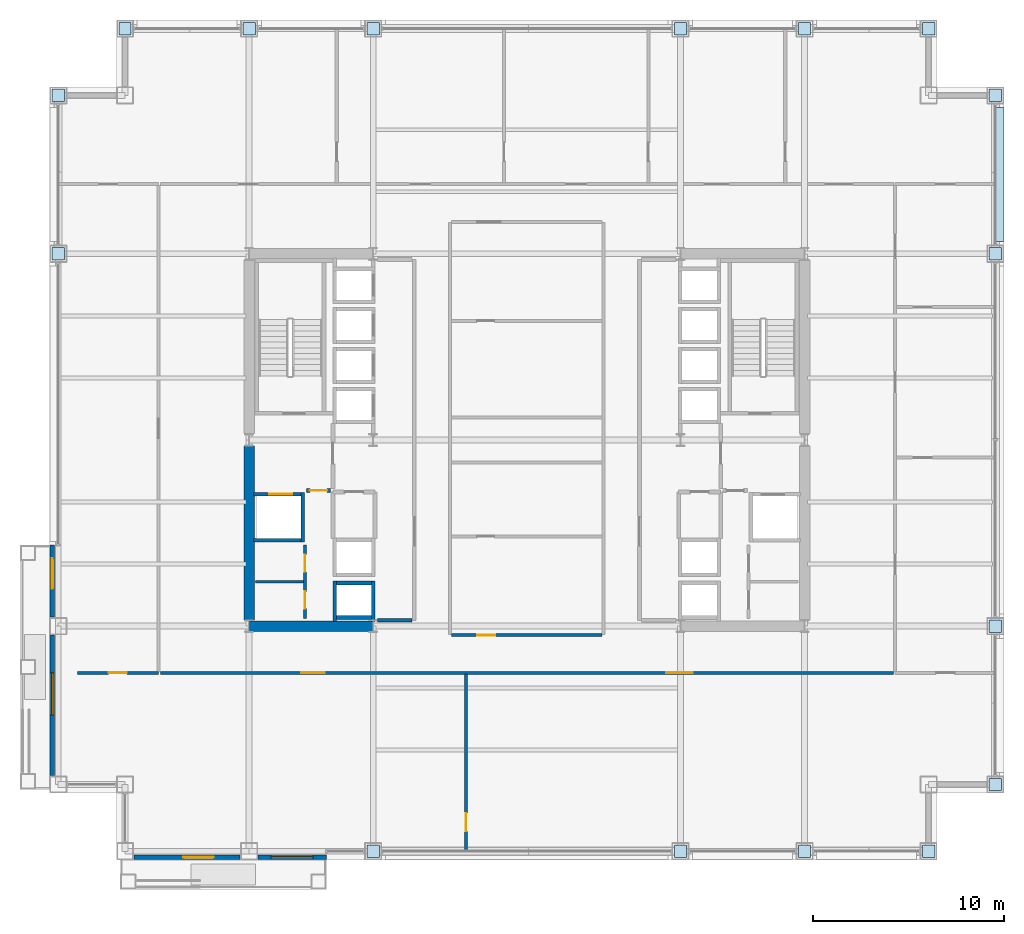
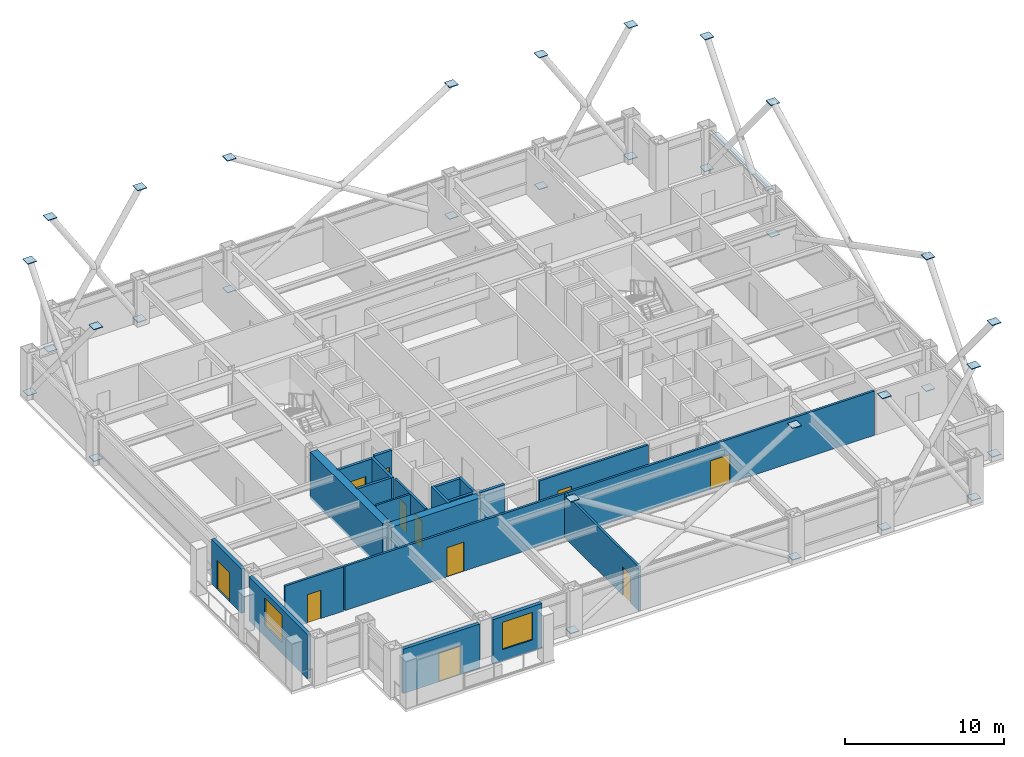
# One storey, part 24 of 29: 33 plates, 21 walls, 11 doors, 2 windows, 13 openings.
"""IFC4 building model written with IfcOpenShell, lengths in metres."""

from ifc_helpers import new_model, si_unit, direction, frame, frame_2d, origin, origin_2d, place, context, subcontext, project, spatial, rectangle, extrude, material, layer, layer_set, type_object, element, fill, save


model = new_model("IFC4")

# Units and contexts
model_context = context("Model", 3, precision=1e-05, world=origin(), true_north=direction((0.0, 1.0)))
body_context = subcontext(model_context, "Body", "Model", "MODEL_VIEW")
ifc_project = project(units=[si_unit("LENGTHUNIT", "METRE"), si_unit("AREAUNIT", "SQUARE_METRE"), si_unit("VOLUMEUNIT", "CUBIC_METRE"), si_unit("PLANEANGLEUNIT", "RADIAN"), si_unit("MASSUNIT", "GRAM", prefix="KILO")], contexts=[model_context])

# Site, building, storey
site_placement = place(None, origin())
site = spatial("IfcSite", under=ifc_project, at=site_placement, CompositionType="ELEMENT")
building_placement = place(site_placement, origin())
building = spatial("IfcBuilding", under=site, at=building_placement, Name="Brelmoor Portico Tower", CompositionType="ELEMENT")
storey_placement = place(building_placement, frame((0.0, 0.0, 67.199951171875)))
storey = spatial("IfcBuildingStorey", under=building, at=storey_placement, Name="L17", CompositionType="ELEMENT", Elevation=67.199951171875)

# Plates
ifc_material_1 = material(Name="Steel Q355B", Category="steel")
ifc_layer_1 = layer(ifc_material_1, 0.044921875)
ifc_layer_set_1 = layer_set([ifc_layer_1], Name="Steel Q355B")
plate_type_1 = type_object("IfcPlateType", Name="PT-CAP-650", PredefinedType="SHEET", material=ifc_layer_set_1)
for number, where, z_axis, x_axis, name in (
    (1, (-8.050048828125, -21.550048828125, 0.2275390625), (0.0, 0.0, 1.0), (1.0, 0.0, 0.0), "L17 Continuous Mega-X Brace 034A Joint Cap Plate 1"),
    (2, (8.050048828125, -21.550048828125, 10.32763671875), (0.0, 0.0, 1.0), (1.0, 0.0, 0.0), "L17 Continuous Mega-X Brace 034A Joint Cap Plate 2"),
    (3, (8.050048828125, -21.550048828125, 0.2275390625), (0.0, 0.0, 1.0), (1.0, 0.0, 0.0), "L17 Split Mega-X Brace 034B1 Joint Cap Plate 1"),
    (4, (-8.050048828125, -21.550048828125, 10.32763671875), (0.0, 0.0, 1.0), (1.0, 0.0, 0.0), "L17 Split Mega-X Brace 034B2 Joint Cap Plate 2"),
    (5, (14.550048828125, -21.550048828125, 0.2275390625), (0.0, 0.0, 1.0), (1.0, 0.0, 0.0), "L17 Continuous Mega-X Brace 035A Joint Cap Plate 1"),
    (6, (21.050048828125, -21.550048828125, 10.32763671875), (0.0, 0.0, 1.0), (1.0, 0.0, 0.0), "L17 Continuous Mega-X Brace 035A Joint Cap Plate 2"),
    (7, (21.050048828125, -21.550048828125, 0.2275390625), (0.0, 0.0, 1.0), (1.0, 0.0, 0.0), "L17 Split Mega-X Brace 035B1 Joint Cap Plate 1"),
    (8, (14.550048828125, -21.550048828125, 10.32763671875), (0.0, 0.0, 1.0), (1.0, 0.0, 0.0), "L17 Split Mega-X Brace 035B2 Joint Cap Plate 2"),
    (9, (-21.050048828125, 21.550048828125, 0.2275390625), (0.0, 0.0, 1.0), (1.0, 0.0, 0.0), "L17 Continuous Mega-X Brace 036A Joint Cap Plate 1"),
    (10, (-14.550048828125, 21.550048828125, 10.32763671875), (0.0, 0.0, 1.0), (1.0, 0.0, 0.0), "L17 Continuous Mega-X Brace 036A Joint Cap Plate 2"),
    (11, (-14.550048828125, 21.550048828125, 0.2275390625), (0.0, 0.0, 1.0), (1.0, 0.0, 0.0), "L17 Split Mega-X Brace 036B1 Joint Cap Plate 1"),
    (12, (-21.050048828125, 21.550048828125, 10.32763671875), (0.0, 0.0, 1.0), (1.0, 0.0, 0.0), "L17 Split Mega-X Brace 036B2 Joint Cap Plate 2"),
    (13, (-8.050048828125, 21.550048828125, 0.2275390625), (0.0, 0.0, 1.0), (1.0, 0.0, 0.0), "L17 Continuous Mega-X Brace 037A Joint Cap Plate 1"),
    (14, (8.050048828125, 21.550048828125, 10.32763671875), (0.0, 0.0, 1.0), (1.0, 0.0, 0.0), "L17 Continuous Mega-X Brace 037A Joint Cap Plate 2"),
    (15, (8.050048828125, 21.550048828125, 0.2275390625), (0.0, 0.0, 1.0), (1.0, 0.0, 0.0), "L17 Split Mega-X Brace 037B1 Joint Cap Plate 1"),
    (16, (-8.050048828125, 21.550048828125, 10.32763671875), (0.0, 0.0, 1.0), (1.0, 0.0, 0.0), "L17 Split Mega-X Brace 037B2 Joint Cap Plate 2"),
    (17, (14.550048828125, 21.550048828125, 0.2275390625), (0.0, 0.0, 1.0), (1.0, 0.0, 0.0), "L17 Continuous Mega-X Brace 038A Joint Cap Plate 1"),
    (18, (21.050048828125, 21.550048828125, 10.32763671875), (0.0, 0.0, 1.0), (1.0, 0.0, 0.0), "L17 Continuous Mega-X Brace 038A Joint Cap Plate 2"),
    (19, (21.050048828125, 21.550048828125, 0.2275390625), (0.0, 0.0, 1.0), (1.0, 0.0, 0.0), "L17 Split Mega-X Brace 038B1 Joint Cap Plate 1"),
    (20, (14.550048828125, 21.550048828125, 10.32763671875), (0.0, 0.0, 1.0), (1.0, 0.0, 0.0), "L17 Split Mega-X Brace 038B2 Joint Cap Plate 2"),
    (21, (-24.550048828125, 9.75, 0.2275390625), (0.0, 0.0, 1.0), (1.0, 0.0, 0.0), "L17 Continuous Mega-X Brace 039A Joint Cap Plate 1"),
    (22, (-24.550048828125, 18.050048828125, 10.32763671875), (0.0, 0.0, 1.0), (1.0, 0.0, 0.0), "L17 Continuous Mega-X Brace 039A Joint Cap Plate 2"),
    (23, (-24.550048828125, 18.050048828125, 0.2275390625), (0.0, 0.0, 1.0), (1.0, 0.0, 0.0), "L17 Split Mega-X Brace 039B1 Joint Cap Plate 1"),
    (24, (-24.550048828125, 9.75, 10.32763671875), (0.0, 0.0, 1.0), (1.0, 0.0, 0.0), "L17 Split Mega-X Brace 039B2 Joint Cap Plate 2"),
    (25, (24.550048828125, -18.050048828125, 0.2275390625), (0.0, 0.0, 1.0), (1.0, 0.0, 0.0), "L17 Continuous Mega-X Brace 040A Joint Cap Plate 1"),
    (26, (24.550048828125, -9.75, 10.32763671875), (0.0, 0.0, 1.0), (1.0, 0.0, 0.0), "L17 Continuous Mega-X Brace 040A Joint Cap Plate 2"),
    (27, (24.550048828125, -9.75, 0.2275390625), (0.0, 0.0, 1.0), (1.0, 0.0, 0.0), "L17 Split Mega-X Brace 040B1 Joint Cap Plate 1"),
    (28, (24.550048828125, -18.050048828125, 10.32763671875), (0.0, 0.0, 1.0), (1.0, 0.0, 0.0), "L17 Split Mega-X Brace 040B2 Joint Cap Plate 2"),
    (29, (24.550048828125, 9.75, 10.32763671875), (0.0, 0.0, 1.0), (1.0, 0.0, 0.0), "L17 Continuous Mega-X Brace 041A Joint Cap Plate 2"),
    (30, (24.550048828125, 9.75, 0.2275390625), (0.0, 0.0, 1.0), (1.0, 0.0, 0.0), "L17 Split Mega-X Brace 041B1 Joint Cap Plate 1"),
    (31, (24.550048828125, 18.050048828125, 10.32763671875), (0.0, 0.0, 1.0), (1.0, 0.0, 0.0), "L17 Continuous Mega-X Brace 042A Joint Cap Plate 2"),
    (32, (24.550048828125, 18.050048828125, 0.2275390625), (0.0, 0.0, 1.0), (1.0, 0.0, 0.0), "L17 Split Mega-X Brace 042B1 Joint Cap Plate 1"),
):
    element("IfcPlate", number, at=place(storey_placement, frame(where, z_axis=z_axis, x_axis=x_axis)), inside=storey, type_object=plate_type_1, Name=name, PredefinedType="SHEET", context=body_context, shape_type="SweptSolid", body=[
        extrude(rectangle(XDim=0.64990234375, YDim=0.64990234375, at=origin_2d()), origin(), (0.0, 0.0, 1.0), 0.044921875),
    ])
ifc_material_2 = material(Name="Pale Champagne Perforated Aluminium Solar Screen", Category="aluminium")
ifc_layer_2 = layer(ifc_material_2, 0.054931640625)
ifc_layer_set_2 = layer_set([ifc_layer_2], Name="Pale Champagne Perforated Aluminium Solar Screen")
plate_type_2 = type_object("IfcPlateType", Name="PT-SOLAR-LOUVRE", PredefinedType="SHEET", material=ifc_layer_set_2)
plate_placement = place(storey_placement, frame((24.760009765625, 13.89990234375, 3.09033203125), z_axis=(0.0, 0.0, 1.0), x_axis=(0.0, 1.0, 0.0)))
element("IfcPlate", 33, at=plate_placement, inside=storey, type_object=plate_type_2, Name="CW-L17-04-3 Caribbean Brise-Soleil Solar Screen", PredefinedType="SHEET", context=body_context, shape_type="SweptSolid", body=[
    extrude(rectangle(XDim=7.02001953125, YDim=0.4599609375, at=origin_2d()), origin(), (0.0, 0.0, 1.0), 0.139892578125),
])

# Walls
ifc_material_3 = material(Name="Concrete C60", Category="concrete")
ifc_layer_3 = layer(ifc_material_3, 0.550048828125)
ifc_layer_set_3 = layer_set([ifc_layer_3], Name="Concrete C60")
wall_type_1 = type_object("IfcWallType", Name="WL-CORE-550", PredefinedType="SHEAR", material=ifc_layer_set_3)
wall_1_placement = place(storey_placement, frame((-14.530029296875, -9.75, -0.199951171875), z_axis=(0.0, 0.0, 1.0), x_axis=(1.0, 0.0, 0.0)))
element("IfcWall", 34, at=wall_1_placement, inside=storey, type_object=wall_type_1, Name="L17 WC South Shear Wall", PredefinedType="SHEAR", context=body_context, shape_type="SweptSolid", body=[
    extrude(rectangle(XDim=6.4599609375, YDim=0.550048828125, at=frame_2d((3.22998046875, 0.0))), origin(), (0.0, 0.0, 1.0), 3.60009765625),
])
wall_2_placement = place(storey_placement, frame((-14.550048828125, -9.425048828125, -0.199951171875), z_axis=(0.0, 0.0, 1.0), x_axis=(0.0, 1.0, 0.0)))
element("IfcWall", 35, at=wall_2_placement, inside=storey, type_object=wall_type_1, Name="L17 WC Outer South Shear Wall", PredefinedType="SHEAR", context=body_context, shape_type="SweptSolid", body=[
    extrude(rectangle(XDim=9.10009765625, YDim=0.550048828125, at=frame_2d((4.550048828125, 0.0))), origin(), (0.0, 0.0, 1.0), 3.60009765625),
])

# Wall, opening, door
ifc_material_4 = material(Name="Precast Concrete C40 Insulated Facade Wall", Category="concrete")
ifc_layer_4 = layer(ifc_material_4, 0.25)
ifc_layer_set_4 = layer_set([ifc_layer_4], Name="Precast Concrete C40 Insulated Facade Wall")
wall_type_2 = type_object("IfcWallType", Name="WL-EXT-250", PredefinedType="STANDARD", material=ifc_layer_set_4)
wall_3_placement = place(storey_placement, frame((-20.580078125, -21.860107421875, 0.0), z_axis=(0.0, 0.0, 1.0), x_axis=(1.0, 0.0, 0.0)))
wall_3 = element("IfcWall", 36, at=wall_3_placement, inside=storey, type_object=wall_type_2, Name="L17 Loggia Threshold Wall S-1", PredefinedType="STANDARD", context=body_context, shape_type="SweptSolid", body=[
    extrude(rectangle(XDim=5.56005859375, YDim=0.25, at=frame_2d((2.780029296875, 0.0))), origin(), (0.0, 0.0, 1.0), 3.400146484375),
])
opening_1_placement = place(wall_3_placement, frame((2.580078125, 0.0, 0.0)))
opening_1 = element("IfcOpeningElement", 37, at=opening_1_placement, cuts=wall_3, Name="Opening D-TB1", PredefinedType="OPENING", context=body_context, shape_type="SweptSolid", body=[
    extrude(rectangle(XDim=1.60009765625, YDim=2.199951171875, at=frame_2d((0.800048828125, 1.10009765625))), frame((0.0, 0.135009765625, 0.0), z_axis=(0.0, -1.0, 0.0), x_axis=(1.0, 0.0, 0.0)), (0.0, 0.0, 1.0), 0.27001953125),
])
ifc_material_5 = material(Name="Double-Leaf Thermally Broken Terrace Door", Category="aluminium")
door_type_1 = type_object("IfcDoorType", Name="DR-BALCONY-1600", OperationType="NOTDEFINED", PredefinedType="DOOR", material=ifc_material_5)
door_1_placement = place(opening_1_placement, origin())
door_1 = element("IfcDoor", 38, at=door_1_placement, inside=storey, type_object=door_type_1, Name="D-0787 L17 Tree Balcony Double Door S", OperationType="DOUBLE_DOOR_SINGLE_SWING", OverallHeight=2.199951171875, OverallWidth=1.60009765625, PredefinedType="DOOR", context=body_context, shape_type="SweptSolid", body=[
    extrude(rectangle(XDim=1.60009765625, YDim=2.199951171875, at=frame_2d((0.800048828125, 1.10009765625))), frame((0.0, 0.02490234375, 0.0), z_axis=(0.0, -1.0, 0.0), x_axis=(1.0, 0.0, 0.0)), (0.0, 0.0, 1.0), 0.050048828125),
])
fill(opening_1, door_1)

# Wall, opening, window
wall_4_placement = place(storey_placement, frame((-14.080078125, -21.860107421875, 0.0), z_axis=(0.0, 0.0, 1.0), x_axis=(1.0, 0.0, 0.0)))
wall_4 = element("IfcWall", 39, at=wall_4_placement, inside=storey, type_object=wall_type_2, Name="L17 Loggia Threshold Wall S-2", PredefinedType="STANDARD", context=body_context, shape_type="SweptSolid", body=[
    extrude(rectangle(XDim=3.580078125, YDim=0.25, at=frame_2d((1.7900390625, 0.0))), origin(), (0.0, 0.0, 1.0), 3.400146484375),
])
opening_2_placement = place(wall_4_placement, frame((0.679931640625, 0.0, 0.85009765625)))
opening_2 = element("IfcOpeningElement", 40, at=opening_2_placement, cuts=wall_4, Name="Opening W-03B", PredefinedType="OPENING", context=body_context, shape_type="SweptSolid", body=[
    extrude(rectangle(XDim=2.199951171875, YDim=2.10009765625, at=frame_2d((1.10009765625, 1.050048828125))), frame((0.0, 0.135009765625, 0.0), z_axis=(0.0, -1.0, 0.0), x_axis=(1.0, 0.0, 0.0)), (0.0, 0.0, 1.0), 0.27001953125),
])
ifc_material_6 = material(Name="Thermally Broken Aluminium Low-E Window", Category="aluminium")
window_type = type_object("IfcWindowType", Name="WN-LOGGIA-2200x2100", PartitioningType="SINGLE_PANEL", PredefinedType="WINDOW", material=ifc_material_6)
window_1_placement = place(opening_2_placement, origin())
window_1 = element("IfcWindow", 41, at=window_1_placement, inside=storey, type_object=window_type, Name="L17 Loggia Window S", OverallHeight=2.10009765625, OverallWidth=2.199951171875, PartitioningType="SINGLE_PANEL", PredefinedType="WINDOW", context=body_context, shape_type="SweptSolid", body=[
    extrude(rectangle(XDim=2.199951171875, YDim=2.10009765625, at=frame_2d((1.10009765625, 1.050048828125))), frame((0.0, 0.030029296875, 0.0), z_axis=(0.0, -1.0, 0.0), x_axis=(1.0, 0.0, 0.0)), (0.0, 0.0, 1.0), 0.06005859375),
])
fill(opening_2, window_1)

wall_5_placement = place(storey_placement, frame((-24.860107421875, -17.580078125, 0.0), z_axis=(0.0, 0.0, 1.0), x_axis=(0.0, 1.0, 0.0)))
wall_5 = element("IfcWall", 42, at=wall_5_placement, inside=storey, type_object=wall_type_2, Name="L17 Loggia Threshold Wall W-1", PredefinedType="STANDARD", context=body_context, shape_type="SweptSolid", body=[
    extrude(rectangle(XDim=7.360107421875, YDim=0.25, at=frame_2d((3.68017578125, 0.0))), origin(), (0.0, 0.0, 1.0), 3.400146484375),
])
opening_3_placement = place(wall_5_placement, frame((3.179931640625, 0.0, 0.85009765625)))
opening_3 = element("IfcOpeningElement", 43, at=opening_3_placement, cuts=wall_5, Name="Opening W-03B", PredefinedType="OPENING", context=body_context, shape_type="SweptSolid", body=[
    extrude(rectangle(XDim=2.199951171875, YDim=2.10009765625, at=frame_2d((1.10009765625, 1.050048828125))), frame((0.0, 0.135009765625, 0.0), z_axis=(0.0, -1.0, 0.0), x_axis=(1.0, 0.0, 0.0)), (0.0, 0.0, 1.0), 0.27001953125),
])
window_2_placement = place(opening_3_placement, origin())
window_2 = element("IfcWindow", 44, at=window_2_placement, inside=storey, type_object=window_type, Name="L17 Loggia Window W", OverallHeight=2.10009765625, OverallWidth=2.199951171875, PartitioningType="SINGLE_PANEL", PredefinedType="WINDOW", context=body_context, shape_type="SweptSolid", body=[
    extrude(rectangle(XDim=2.199951171875, YDim=2.10009765625, at=frame_2d((1.10009765625, 1.050048828125))), frame((0.0, 0.030029296875, 0.0), z_axis=(0.0, -1.0, 0.0), x_axis=(1.0, 0.0, 0.0)), (0.0, 0.0, 1.0), 0.06005859375),
])
fill(opening_3, window_2)

# Wall, opening, door
wall_6_placement = place(storey_placement, frame((-24.860107421875, -9.280029296875, 0.0), z_axis=(0.0, 0.0, 1.0), x_axis=(0.0, 1.0, 0.0)))
wall_6 = element("IfcWall", 45, at=wall_6_placement, inside=storey, type_object=wall_type_2, Name="L17 Loggia Threshold Wall W-2", PredefinedType="STANDARD", context=body_context, shape_type="SweptSolid", body=[
    extrude(rectangle(XDim=3.780029296875, YDim=0.25, at=frame_2d((1.89013671875, 0.0))), origin(), (0.0, 0.0, 1.0), 3.400146484375),
])
opening_4_placement = place(wall_6_placement, frame((1.47998046875, 0.0, 0.0)))
opening_4 = element("IfcOpeningElement", 46, at=opening_4_placement, cuts=wall_6, Name="Opening D-TB1", PredefinedType="OPENING", context=body_context, shape_type="SweptSolid", body=[
    extrude(rectangle(XDim=1.60009765625, YDim=2.199951171875, at=frame_2d((0.800048828125, 1.10009765625))), frame((0.0, 0.135009765625, 0.0), z_axis=(0.0, -1.0, 0.0), x_axis=(1.0, 0.0, 0.0)), (0.0, 0.0, 1.0), 0.27001953125),
])
door_2_placement = place(opening_4_placement, origin())
door_2 = element("IfcDoor", 47, at=door_2_placement, inside=storey, type_object=door_type_1, Name="D-0788 L17 Tree Balcony Double Door W", OperationType="DOUBLE_DOOR_SINGLE_SWING", OverallHeight=2.199951171875, OverallWidth=1.60009765625, PredefinedType="DOOR", context=body_context, shape_type="SweptSolid", body=[
    extrude(rectangle(XDim=1.60009765625, YDim=2.199951171875, at=frame_2d((0.800048828125, 1.10009765625))), frame((0.0, 0.02490234375, 0.0), z_axis=(0.0, -1.0, 0.0), x_axis=(1.0, 0.0, 0.0)), (0.0, 0.0, 1.0), 0.050048828125),
])
fill(opening_4, door_2)

# Wall
ifc_material_7 = material(Name="Insulated Stud Suite Partition", Category="gypsum")
ifc_layer_5 = layer(ifc_material_7, 0.139892578125)
ifc_layer_set_5 = layer_set([ifc_layer_5], Name="Insulated Stud Suite Partition")
wall_type_3 = type_object("IfcWallType", Name="WL-PART-140", PredefinedType="PARTITIONING", material=ifc_layer_set_5)
wall_7_placement = place(storey_placement, frame((-11.699951171875, -7.425048828125, 0.0), z_axis=(0.0, 0.0, 1.0), x_axis=(-1.0, 0.0, 0.0)))
element("IfcWall", 48, at=wall_7_placement, inside=storey, type_object=wall_type_3, Name="L17 W Core WC Divider 1", PredefinedType="PARTITIONING", context=body_context, shape_type="SweptSolid", body=[
    extrude(rectangle(XDim=2.5, YDim=0.139892578125, at=frame_2d((1.25, 0.0))), origin(), (0.0, 0.0, 1.0), 3.400146484375),
])

# Wall, openings, doors
ifc_material_8 = material(Name="Twin-Frame Acoustic Partition", Category="gypsum")
ifc_layer_6 = layer(ifc_material_8, 0.159912109375)
ifc_layer_set_6 = layer_set([ifc_layer_6], Name="Twin-Frame Acoustic Partition")
wall_type_4 = type_object("IfcWallType", Name="WL-PART-160", PredefinedType="PARTITIONING", material=ifc_layer_set_6)
wall_8_placement = place(storey_placement, frame((-11.6201171875, -9.35009765625, 0.0), z_axis=(0.0, 0.0, 1.0), x_axis=(0.0, 1.0, 0.0)))
wall_8 = element("IfcWall", 49, at=wall_8_placement, inside=storey, type_object=wall_type_4, Name="L17 W Core Service Front Wall", PredefinedType="PARTITIONING", context=body_context, shape_type="SweptSolid", body=[
    extrude(rectangle(XDim=3.85009765625, YDim=0.159912109375, at=frame_2d((1.925048828125, 0.0))), origin(), (0.0, 0.0, 1.0), 3.400146484375),
])
opening_5_placement = place(wall_8_placement, frame((0.512451171875, 0.0, 0.0)))
opening_5 = element("IfcOpeningElement", 50, at=opening_5_placement, cuts=wall_8, Name="Opening D-IN1", PredefinedType="OPENING", context=body_context, shape_type="SweptSolid", body=[
    extrude(rectangle(XDim=0.89990234375, YDim=2.14990234375, at=frame_2d((0.449951171875, 1.074951171875))), frame((0.0, 0.08984375, 0.0), z_axis=(0.0, -1.0, 0.0), x_axis=(1.0, 0.0, 0.0)), (0.0, 0.0, 1.0), 0.179931640625),
])
opening_6_placement = place(wall_8_placement, frame((2.4375, 0.0, 0.0)))
opening_6 = element("IfcOpeningElement", 51, at=opening_6_placement, cuts=wall_8, Name="Opening D-IN1", PredefinedType="OPENING", context=body_context, shape_type="SweptSolid", body=[
    extrude(rectangle(XDim=0.89990234375, YDim=2.14990234375, at=frame_2d((0.449951171875, 1.074951171875))), frame((0.0, 0.08984375, 0.0), z_axis=(0.0, -1.0, 0.0), x_axis=(1.0, 0.0, 0.0)), (0.0, 0.0, 1.0), 0.179931640625),
])
ifc_material_9 = material(Name="Lacquered Timber Suite Door", Category="wood")
door_type_2 = type_object("IfcDoorType", Name="DR-INT-900", OperationType="NOTDEFINED", PredefinedType="DOOR", material=ifc_material_9)
door_3_placement = place(opening_5_placement, origin())
door_3 = element("IfcDoor", 52, at=door_3_placement, inside=storey, type_object=door_type_2, Name="D-0761 L17 W Accessible WC Door", OperationType="SINGLE_SWING_LEFT", OverallHeight=2.14990234375, OverallWidth=0.89990234375, PredefinedType="DOOR", context=body_context, shape_type="SweptSolid", body=[
    extrude(rectangle(XDim=0.89990234375, YDim=2.14990234375, at=frame_2d((0.449951171875, 1.074951171875))), frame((0.0, 0.02490234375, 0.0), z_axis=(0.0, -1.0, 0.0), x_axis=(1.0, 0.0, 0.0)), (0.0, 0.0, 1.0), 0.050048828125),
])
fill(opening_5, door_3)
door_4_placement = place(opening_6_placement, origin())
door_4 = element("IfcDoor", 53, at=door_4_placement, inside=storey, type_object=door_type_2, Name="D-0762 L17 W Staff WC Door", OperationType="SINGLE_SWING_RIGHT", OverallHeight=2.14990234375, OverallWidth=0.89990234375, PredefinedType="DOOR", context=body_context, shape_type="SweptSolid", body=[
    extrude(rectangle(XDim=0.89990234375, YDim=2.14990234375, at=frame_2d((0.449951171875, 1.074951171875))), frame((0.0, 0.02490234375, 0.0), z_axis=(0.0, -1.0, 0.0), x_axis=(1.0, 0.0, 0.0)), (0.0, 0.0, 1.0), 0.050048828125),
])
fill(opening_6, door_4)

# Wall, opening, door
wall_9_placement = place(storey_placement, frame((-3.949951171875, -10.219970703125, 0.0), z_axis=(0.0, 0.0, 1.0), x_axis=(1.0, 0.0, 0.0)))
wall_9 = element("IfcWall", 54, at=wall_9_placement, inside=storey, type_object=wall_type_4, Name="L17 Central Pantry Corridor Wall", PredefinedType="PARTITIONING", context=body_context, shape_type="SweptSolid", body=[
    extrude(rectangle(XDim=7.89990234375, YDim=0.159912109375, at=frame_2d((3.949951171875, 0.0))), origin(), (0.0, 0.0, 1.0), 3.400146484375),
])
opening_7_placement = place(wall_9_placement, frame((1.35009765625, 0.0, 0.0)))
opening_7 = element("IfcOpeningElement", 55, at=opening_7_placement, cuts=wall_9, Name="Opening D-IN2", PredefinedType="OPENING", context=body_context, shape_type="SweptSolid", body=[
    extrude(rectangle(XDim=0.9599609375, YDim=2.179931640625, at=frame_2d((0.47998046875, 1.08984375))), frame((0.0, 0.08984375, 0.0), z_axis=(0.0, -1.0, 0.0), x_axis=(1.0, 0.0, 0.0)), (0.0, 0.0, 1.0), 0.179931640625),
])
door_type_3 = type_object("IfcDoorType", Name="DR-INT-950", OperationType="NOTDEFINED", PredefinedType="DOOR", material=ifc_material_9)
door_5_placement = place(opening_7_placement, origin())
door_5 = element("IfcDoor", 56, at=door_5_placement, inside=storey, type_object=door_type_3, Name="D-0755 L17 Staff Pantry Door", OperationType="SINGLE_SWING_LEFT", OverallHeight=2.179931640625, OverallWidth=0.9599609375, PredefinedType="DOOR", context=body_context, shape_type="SweptSolid", body=[
    extrude(rectangle(XDim=0.9599609375, YDim=2.179931640625, at=frame_2d((0.47998046875, 1.08984375))), frame((0.0, 0.02490234375, 0.0), z_axis=(0.0, -1.0, 0.0), x_axis=(1.0, 0.0, 0.0)), (0.0, 0.0, 1.0), 0.050048828125),
])
fill(opening_7, door_5)

wall_10_placement = place(storey_placement, frame((-3.185546875, -21.56005859375, 0.0), z_axis=(0.0, 0.0, 1.0), x_axis=(0.0, 1.0, 0.0)))
wall_10 = element("IfcWall", 57, at=wall_10_placement, inside=storey, type_object=wall_type_4, Name="L17 South Suite Partition 1", PredefinedType="PARTITIONING", context=body_context, shape_type="SweptSolid", body=[
    extrude(rectangle(XDim=9.300048828125, YDim=0.159912109375, at=frame_2d((4.64990234375, 0.0))), origin(), (0.0, 0.0, 1.0), 3.400146484375),
])
opening_8_placement = place(wall_10_placement, frame((1.050048828125, 0.0, 0.0)))
opening_8 = element("IfcOpeningElement", 58, at=opening_8_placement, cuts=wall_10, Name="Opening D-IN2", PredefinedType="OPENING", context=body_context, shape_type="SweptSolid", body=[
    extrude(rectangle(XDim=0.9599609375, YDim=2.179931640625, at=frame_2d((0.47998046875, 1.08984375))), frame((0.0, 0.08984375, 0.0), z_axis=(0.0, -1.0, 0.0), x_axis=(1.0, 0.0, 0.0)), (0.0, 0.0, 1.0), 0.179931640625),
])
door_6_placement = place(opening_8_placement, origin())
door_6 = element("IfcDoor", 59, at=door_6_placement, inside=storey, type_object=door_type_3, Name="D-0782 L17 South Suite Connecting Door 1", OperationType="SINGLE_SWING_RIGHT", OverallHeight=2.179931640625, OverallWidth=0.9599609375, PredefinedType="DOOR", context=body_context, shape_type="SweptSolid", body=[
    extrude(rectangle(XDim=0.9599609375, YDim=2.179931640625, at=frame_2d((0.47998046875, 1.08984375))), frame((0.0, 0.02490234375, 0.0), z_axis=(0.0, -1.0, 0.0), x_axis=(1.0, 0.0, 0.0)), (0.0, 0.0, 1.0), 0.050048828125),
])
fill(opening_8, door_6)

# Wall, openings, doors
wall_11_placement = place(storey_placement, frame((-19.199951171875, -12.199951171875, 0.0), z_axis=(0.0, 0.0, 1.0), x_axis=(1.0, 0.0, 0.0)))
wall_11 = element("IfcWall", 60, at=wall_11_placement, inside=storey, type_object=wall_type_4, Name="L17 South Corridor Partition", PredefinedType="PARTITIONING", context=body_context, shape_type="SweptSolid", body=[
    extrude(rectangle(XDim=38.39990234375, YDim=0.159912109375, at=frame_2d((19.199951171875, 0.0))), origin(), (0.0, 0.0, 1.0), 3.400146484375),
])
opening_9_placement = place(wall_11_placement, frame((7.38720703125, 0.0, 0.0)))
opening_9 = element("IfcOpeningElement", 61, at=opening_9_placement, cuts=wall_11, Name="Opening D-SU1", PredefinedType="OPENING", context=body_context, shape_type="SweptSolid", body=[
    extrude(rectangle(XDim=1.239990234375, YDim=2.239990234375, at=frame_2d((0.6201171875, 1.1201171875))), frame((0.0, 0.08984375, 0.0), z_axis=(0.0, -1.0, 0.0), x_axis=(1.0, 0.0, 0.0)), (0.0, 0.0, 1.0), 0.179931640625),
])
opening_10_placement = place(wall_11_placement, frame((26.507080078125, 0.0, 0.0)))
opening_10 = element("IfcOpeningElement", 62, at=opening_10_placement, cuts=wall_11, Name="Opening D-SU2", PredefinedType="OPENING", context=body_context, shape_type="SweptSolid", body=[
    extrude(rectangle(XDim=1.39990234375, YDim=2.199951171875, at=frame_2d((0.699951171875, 1.10009765625))), frame((0.0, 0.08984375, 0.0), z_axis=(0.0, -1.0, 0.0), x_axis=(1.0, 0.0, 0.0)), (0.0, 0.0, 1.0), 0.179931640625),
])
ifc_material_10 = material(Name="Glazed Timber Executive Suite Door", Category="wood")
door_type_4 = type_object("IfcDoorType", Name="DR-SUITE-1200", OperationType="NOTDEFINED", PredefinedType="DOOR", material=ifc_material_10)
door_7_placement = place(opening_9_placement, origin())
door_7 = element("IfcDoor", 63, at=door_7_placement, inside=storey, type_object=door_type_4, Name="D-0780 L17 South Partner Office 1 Door", OperationType="SINGLE_SWING_LEFT", OverallHeight=2.239990234375, OverallWidth=1.239990234375, PredefinedType="DOOR", context=body_context, shape_type="SweptSolid", body=[
    extrude(rectangle(XDim=1.239990234375, YDim=2.239990234375, at=frame_2d((0.6201171875, 1.1201171875))), frame((0.0, 0.02490234375, 0.0), z_axis=(0.0, -1.0, 0.0), x_axis=(1.0, 0.0, 0.0)), (0.0, 0.0, 1.0), 0.050048828125),
])
fill(opening_9, door_7)
ifc_material_11 = material(Name="Double-Leaf Acoustic Suite Door", Category="timber")
door_type_5 = type_object("IfcDoorType", Name="DR-SUITE-1400", OperationType="NOTDEFINED", PredefinedType="DOOR", material=ifc_material_11)
door_8_placement = place(opening_10_placement, origin())
door_8 = element("IfcDoor", 64, at=door_8_placement, inside=storey, type_object=door_type_5, Name="D-0781 L17 South Cellular Office 2 Door", OperationType="DOUBLE_DOOR_SINGLE_SWING", OverallHeight=2.199951171875, OverallWidth=1.39990234375, PredefinedType="DOOR", context=body_context, shape_type="SweptSolid", body=[
    extrude(rectangle(XDim=1.39990234375, YDim=2.199951171875, at=frame_2d((0.699951171875, 1.10009765625))), frame((0.0, 0.02490234375, 0.0), z_axis=(0.0, -1.0, 0.0), x_axis=(1.0, 0.0, 0.0)), (0.0, 0.0, 1.0), 0.050048828125),
])
fill(opening_10, door_8)

# Wall, opening, door
wall_12_placement = place(storey_placement, frame((-23.550048828125, -12.199951171875, 0.0), z_axis=(0.0, 0.0, 1.0), x_axis=(1.0, 0.0, 0.0)))
wall_12 = element("IfcWall", 65, at=wall_12_placement, inside=storey, type_object=wall_type_4, Name="L17 South Outer Closure WL", PredefinedType="PARTITIONING", context=body_context, shape_type="SweptSolid", body=[
    extrude(rectangle(XDim=4.25, YDim=0.159912109375, at=frame_2d((2.125, 0.0))), origin(), (0.0, 0.0, 1.0), 3.400146484375),
])
opening_11_placement = place(wall_12_placement, frame((1.64501953125, 0.0, 0.0)))
opening_11 = element("IfcOpeningElement", 66, at=opening_11_placement, cuts=wall_12, Name="Opening D-IN2", PredefinedType="OPENING", context=body_context, shape_type="SweptSolid", body=[
    extrude(rectangle(XDim=0.9599609375, YDim=2.179931640625, at=frame_2d((0.47998046875, 1.08984375))), frame((0.0, 0.08984375, 0.0), z_axis=(0.0, -1.0, 0.0), x_axis=(1.0, 0.0, 0.0)), (0.0, 0.0, 1.0), 0.179931640625),
])
door_9_placement = place(opening_11_placement, origin())
door_9 = element("IfcDoor", 67, at=door_9_placement, inside=storey, type_object=door_type_3, Name="D-0786 L17 WL South Corner Suite Door", OperationType="SINGLE_SWING_RIGHT", OverallHeight=2.179931640625, OverallWidth=0.9599609375, PredefinedType="DOOR", context=body_context, shape_type="SweptSolid", body=[
    extrude(rectangle(XDim=0.9599609375, YDim=2.179931640625, at=frame_2d((0.47998046875, 1.08984375))), frame((0.0, 0.02490234375, 0.0), z_axis=(0.0, -1.0, 0.0), x_axis=(1.0, 0.0, 0.0)), (0.0, 0.0, 1.0), 0.050048828125),
])
fill(opening_11, door_9)

# Wall
ifc_material_12 = material(Name="Double-Stud Gypsum Fire Partition", Category="gypsum")
ifc_layer_7 = layer(ifc_material_12, 0.199951171875)
ifc_layer_set_7 = layer_set([ifc_layer_7], Name="Double-Stud Gypsum Fire Partition")
wall_type_5 = type_object("IfcWallType", Name="WL-PART-200", PredefinedType="PARTITIONING", material=ifc_layer_set_7)
wall_13_placement = place(storey_placement, frame((-6.02001953125, -9.449951171875, 0.0), z_axis=(0.0, 0.0, 1.0), x_axis=(-1.0, 0.0, 0.0)))
element("IfcWall", 68, at=wall_13_placement, inside=storey, type_object=wall_type_5, Name="L17 W Lift Lobby South End Wall", PredefinedType="PARTITIONING", context=body_context, shape_type="SweptSolid", body=[
    extrude(rectangle(XDim=1.800048828125, YDim=0.199951171875, at=frame_2d((0.89990234375, 0.0))), origin(), (0.0, 0.0, 1.0), 3.400146484375),
])

# Wall, opening, door
wall_14_placement = place(storey_placement, frame((-10.280029296875, -2.64990234375, 0.0), z_axis=(0.0, 0.0, 1.0), x_axis=(-1.0, 0.0, 0.0)))
wall_14 = element("IfcWall", 69, at=wall_14_placement, inside=storey, type_object=wall_type_5, Name="L17 W Firefighting Lobby South Wall", PredefinedType="PARTITIONING", context=body_context, shape_type="SweptSolid", body=[
    extrude(rectangle(XDim=1.27001953125, YDim=0.199951171875, at=frame_2d((0.635009765625, 0.0))), origin(), (0.0, 0.0, 1.0), 3.400146484375),
])
opening_12_placement = place(wall_14_placement, frame((0.18505859375, 0.0, 0.0)))
opening_12 = element("IfcOpeningElement", 70, at=opening_12_placement, cuts=wall_14, Name="Opening D-IN1", PredefinedType="OPENING", context=body_context, shape_type="SweptSolid", body=[
    extrude(rectangle(XDim=0.89990234375, YDim=2.14990234375, at=frame_2d((0.449951171875, 1.074951171875))), frame((0.0, 0.10986328125, 0.0), z_axis=(0.0, -1.0, 0.0), x_axis=(1.0, 0.0, 0.0)), (0.0, 0.0, 1.0), 0.219970703125),
])
door_10_placement = place(opening_12_placement, origin())
door_10 = element("IfcDoor", 71, at=door_10_placement, inside=storey, type_object=door_type_2, Name="D-0760 L17 W Core Service Vestibule Door", OperationType="SINGLE_SWING_LEFT", OverallHeight=2.14990234375, OverallWidth=0.89990234375, PredefinedType="DOOR", context=body_context, shape_type="SweptSolid", body=[
    extrude(rectangle(XDim=0.89990234375, YDim=2.14990234375, at=frame_2d((0.449951171875, 1.074951171875))), frame((0.0, 0.02490234375, 0.0), z_axis=(0.0, -1.0, 0.0), x_axis=(1.0, 0.0, 0.0)), (0.0, 0.0, 1.0), 0.050048828125),
])
fill(opening_12, door_10)

# Walls
ifc_material_13 = material(Name="Precast Concrete C40", Category="concrete")
ifc_layer_8 = layer(ifc_material_13, 0.18994140625)
ifc_layer_set_8 = layer_set([ifc_layer_8], Name="Precast Concrete C40")
wall_type_6 = type_object("IfcWallType", Name="WL-SHAFT-180", PredefinedType="SOLIDWALL", material=ifc_layer_set_8)
for number, where, z_axis, x_axis, name in (
    (72, (-8.044921875, -9.52001953125, -0.199951171875), (0.0, 0.0, 1.0), (0.0, 1.0, 0.0), "L17 Lift PH1 Hoistway Front Wall"),
    (73, (-10.054931640625, -9.52001953125, -0.199951171875), (0.0, 0.0, 1.0), (0.0, 1.0, 0.0), "L17 Lift PH1 Hoistway Back Wall"),
):
    element("IfcWall", number, at=place(storey_placement, frame(where, z_axis=z_axis, x_axis=x_axis)), inside=storey, type_object=wall_type_6, Name=name, PredefinedType="SOLIDWALL", context=body_context, shape_type="SweptSolid", body=[
        extrude(rectangle(XDim=2.1201171875, YDim=0.18994140625, at=frame_2d((1.06005859375, 0.0))), origin(), (0.0, 0.0, 1.0), 3.60009765625),
    ])
for number, where, z_axis, x_axis, name in (
    (74, (-10.14990234375, -7.4951171875, -0.199951171875), (0.0, 0.0, 1.0), (1.0, 0.0, 0.0), "L17 Lift PH1 Hoistway North Wall"),
    (75, (-10.14990234375, -9.304931640625, -0.199951171875), (0.0, 0.0, 1.0), (1.0, 0.0, 0.0), "L17 Lift PH1 Hoistway South Wall"),
):
    element("IfcWall", number, at=place(storey_placement, frame(where, z_axis=z_axis, x_axis=x_axis)), inside=storey, type_object=wall_type_6, Name=name, PredefinedType="SOLIDWALL", context=body_context, shape_type="SweptSolid", body=[
        extrude(rectangle(XDim=2.199951171875, YDim=0.18994140625, at=frame_2d((1.10009765625, 0.0))), origin(), (0.0, 0.0, 1.0), 3.60009765625),
    ])

# Wall, opening, door
wall_15_placement = place(storey_placement, frame((-14.330078125, -2.844970703125, -0.199951171875), z_axis=(0.0, 0.0, 1.0), x_axis=(1.0, 0.0, 0.0)))
wall_15 = element("IfcWall", 76, at=wall_15_placement, inside=storey, type_object=wall_type_6, Name="L17 Lift FF1 Hoistway Front Wall", PredefinedType="SOLIDWALL", context=body_context, shape_type="SweptSolid", body=[
    extrude(rectangle(XDim=2.68017578125, YDim=0.18994140625, at=frame_2d((1.340087890625, 0.0))), origin(), (0.0, 0.0, 1.0), 3.60009765625),
])
opening_13_placement = place(wall_15_placement, frame((0.830078125, 0.0, 0.199951171875)))
opening_13 = element("IfcOpeningElement", 77, at=opening_13_placement, cuts=wall_15, Name="Opening LD-02", PredefinedType="OPENING", context=body_context, shape_type="SweptSolid", body=[
    extrude(rectangle(XDim=1.199951171875, YDim=2.199951171875, at=frame_2d((0.60009765625, 1.10009765625))), frame((0.0, 0.10498046875, 0.0), z_axis=(0.0, -1.0, 0.0), x_axis=(1.0, 0.0, 0.0)), (0.0, 0.0, 1.0), 0.2099609375),
])
ifc_material_14 = material(Name="Brushed Stainless Steel Firefighting Lift Door", Category="steel")
door_type_6 = type_object("IfcDoorType", Name="DR-LIFT-1200", OperationType="NOTDEFINED", PredefinedType="DOOR", material=ifc_material_14)
door_11_placement = place(opening_13_placement, origin())
door_11 = element("IfcDoor", 78, at=door_11_placement, inside=storey, type_object=door_type_6, Name="D-0795 L17 Lift FF1 Sliding Landing Door", OperationType="SLIDING_TO_LEFT", OverallHeight=2.199951171875, OverallWidth=1.199951171875, PredefinedType="DOOR", context=body_context, shape_type="SweptSolid", body=[
    extrude(rectangle(XDim=1.199951171875, YDim=2.199951171875, at=frame_2d((0.60009765625, 1.10009765625))), frame((0.0, 0.02490234375, 0.0), z_axis=(0.0, -1.0, 0.0), x_axis=(1.0, 0.0, 0.0)), (0.0, 0.0, 1.0), 0.050048828125),
])
fill(opening_13, door_11)

# Walls
wall_16_placement = place(storey_placement, frame((-14.330078125, -5.2548828125, -0.199951171875), z_axis=(0.0, 0.0, 1.0), x_axis=(1.0, 0.0, 0.0)))
element("IfcWall", 79, at=wall_16_placement, inside=storey, type_object=wall_type_6, Name="L17 Firefighting Lift FF1 South Wall", PredefinedType="SOLIDWALL", context=body_context, shape_type="SweptSolid", body=[
    extrude(rectangle(XDim=2.68017578125, YDim=0.18994140625, at=frame_2d((1.340087890625, 0.0))), origin(), (0.0, 0.0, 1.0), 3.60009765625),
])
wall_17_placement = place(storey_placement, frame((-11.7451171875, -5.35009765625, -0.199951171875), z_axis=(0.0, 0.0, 1.0), x_axis=(0.0, 1.0, 0.0)))
element("IfcWall", 80, at=wall_17_placement, inside=storey, type_object=wall_type_6, Name="L17 Firefighting Lift FF1 Inner Wall", PredefinedType="SOLIDWALL", context=body_context, shape_type="SweptSolid", body=[
    extrude(rectangle(XDim=2.60009765625, YDim=0.18994140625, at=frame_2d((1.300048828125, 0.0))), origin(), (0.0, 0.0, 1.0), 3.60009765625),
])

save(model, "model.ifc")
